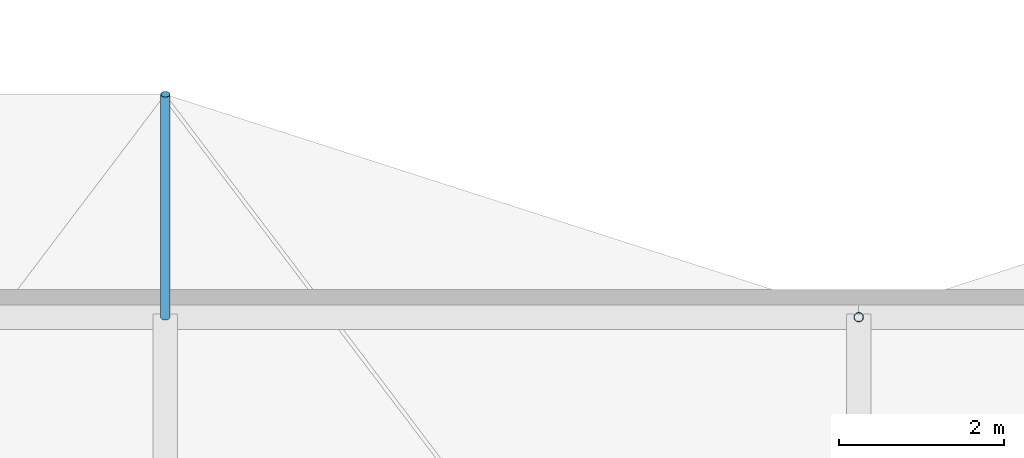
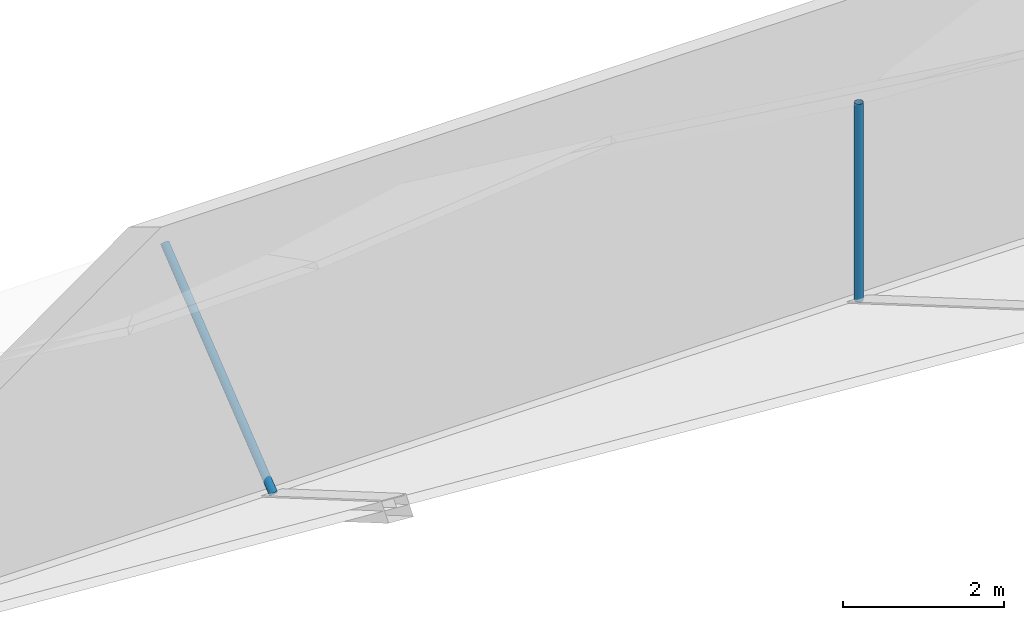
# One storey, part 92 of 111: 2 discrete accessories.
"""IFC4 building model written with IfcOpenShell, lengths in metres."""

from ifc_helpers import new_model, si_unit, direction, frame, origin, origin_2d, place, context, subcontext, project, spatial, hollow_circle, extrude, material, material_profile, profile_set, type_object, element, save


model = new_model("IFC4")

# Units and contexts
model_context = context("Model", 3, precision=1e-05, world=origin(), true_north=direction((0.0, 1.0)))
body_context = subcontext(model_context, "Body", "Model", "MODEL_VIEW")
ifc_project = project(units=[si_unit("LENGTHUNIT", "METRE"), si_unit("AREAUNIT", "SQUARE_METRE"), si_unit("VOLUMEUNIT", "CUBIC_METRE"), si_unit("PLANEANGLEUNIT", "RADIAN"), si_unit("MASSUNIT", "GRAM", prefix="KILO")], contexts=[model_context])

# Site, building, storey
site_placement = place(None, origin())
site = spatial("IfcSite", under=ifc_project, at=site_placement, CompositionType="ELEMENT")
building_placement = place(site_placement, origin())
building = spatial("IfcBuilding", under=site, at=building_placement, Name="Rain Tree Exposition and Congress Centre", CompositionType="ELEMENT")
storey_placement = place(building_placement, frame((0.0, 0.0, 19.5)))
storey = spatial("IfcBuildingStorey", under=building, at=storey_placement, Name="RF", CompositionType="ELEMENT", Elevation=19.5)

# Discrete accessories
ifc_material = material(Name="Steel S355J2H", Category="steel")
ifc_material_profile = material_profile(ifc_material, hollow_circle(Radius=0.05712890625, WallThickness=0.00439453125, at=origin_2d()), Name="CHS 114x4.5")
ifc_profile_set = profile_set([ifc_material_profile], Name="Steel S355J2H")
discrete_accessory_type = type_object("IfcDiscreteAccessoryType", Name="Roof skin post CHS 114x4.5", PredefinedType="BRACKET", material=ifc_profile_set)
discrete_accessory_1_placement = place(storey_placement, frame((159.60009765625, 201.60009765625, 0.5), z_axis=(0.0, 0.779429654795, 0.626489755084), x_axis=(-1.0, 0.0, 0.0)))
element("IfcDiscreteAccessory", 1, at=discrete_accessory_1_placement, inside=storey, type_object=discrete_accessory_type, Name="Roof skin post B159", PredefinedType="BRACKET", context=body_context, shape_type="SweptSolid", body=[
    extrude(hollow_circle(Radius=0.05712890625, WallThickness=0.00439453125, at=origin_2d()), origin(), (0.0, 0.0, 1.0), 3.464111328125),
])
discrete_accessory_2_placement = place(storey_placement, frame((168.0, 201.60009765625, 0.5), z_axis=(0.0, 0.0, 1.0), x_axis=(1.0, 0.0, 0.0)))
element("IfcDiscreteAccessory", 2, at=discrete_accessory_2_placement, inside=storey, type_object=discrete_accessory_type, Name="Roof skin post B160", PredefinedType="BRACKET", context=body_context, shape_type="SweptSolid", body=[
    extrude(hollow_circle(Radius=0.05712890625, WallThickness=0.00439453125, at=origin_2d()), origin(), (0.0, 0.0, 1.0), 3.00341796875),
])

save(model, "model.ifc")
